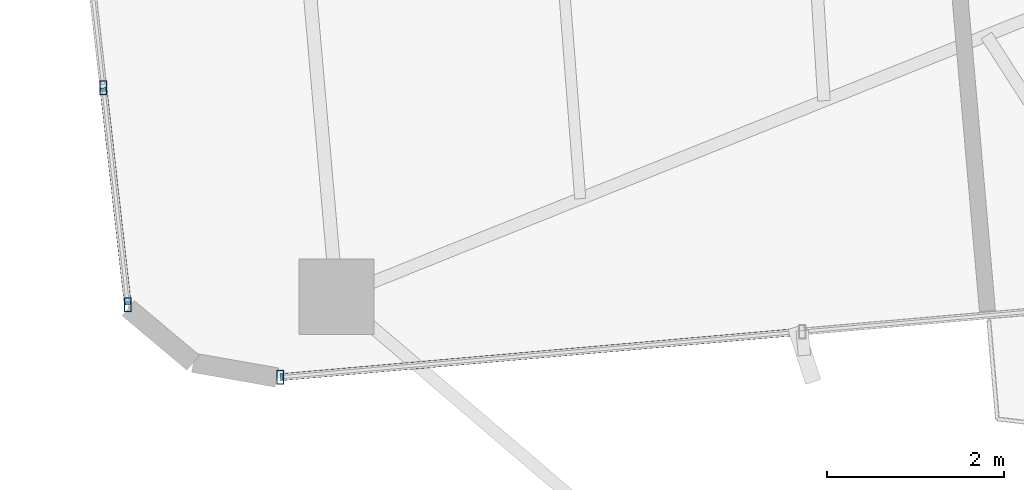
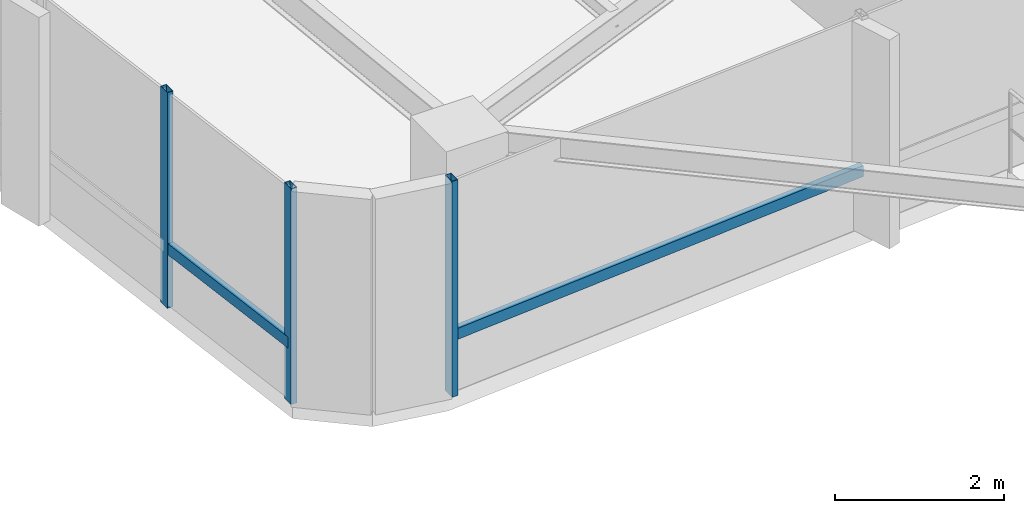
# One storey, part 3 of 24: 5 members, 2 elements without a shape of their own.
"""IFC4 building model written with IfcOpenShell, lengths in metres."""

from ifc_helpers import new_model, si_unit, direction, frame, origin, origin_2d, place, context, subcontext, project, spatial, hollow_rectangle, extrude, source, transform, mapped, material, material_profile, profile_set, type_object, element, aggregate, save


model = new_model("IFC4")

# Units and contexts
model_context = context("Model", 3, precision=1e-05, world=origin(), true_north=direction((0.0, 1.0)))
body_context = subcontext(model_context, "Body", "Model", "MODEL_VIEW")
ifc_project = project(units=[si_unit("LENGTHUNIT", "METRE"), si_unit("AREAUNIT", "SQUARE_METRE"), si_unit("VOLUMEUNIT", "CUBIC_METRE"), si_unit("PLANEANGLEUNIT", "RADIAN"), si_unit("MASSUNIT", "GRAM", prefix="KILO")], contexts=[model_context])

# Site, building, storey
site_placement = place(None, origin())
site = spatial("IfcSite", under=ifc_project, at=site_placement, CompositionType="ELEMENT")
building_placement = place(site_placement, origin())
building = spatial("IfcBuilding", under=site, at=building_placement, Name="Sahyath Konkavel Grand Hotel", CompositionType="ELEMENT")
storey_placement = place(building_placement, frame((0.0, 0.0, 181.89990234375)))
storey = spatial("IfcBuildingStorey", under=building, at=storey_placement, Name="L50", CompositionType="ELEMENT", Elevation=181.89990234375)

# Curtain wall, members
ifc_material_1 = material(Name="Anodised Bronze Aluminium & Low-E Glazing", Category="aluminium")
curtain_wall_type = type_object("IfcCurtainWallType", Name="CW-ZONE3", PredefinedType="NOTDEFINED", material=ifc_material_1)
curtain_wall_1_placement = place(storey_placement, origin())
curtain_wall_1 = element("IfcCurtainWall", 1, at=curtain_wall_1_placement, inside=storey, type_object=curtain_wall_type, Name="L50 Unitised Curtain Wall F20", PredefinedType="NOTDEFINED")
ifc_material_2 = material(Name="Anodised Bronze Aluminium", Category="aluminium")
ifc_material_profile_1 = material_profile(ifc_material_2, hollow_rectangle(XDim=0.080078125, YDim=0.159912109375, WallThickness=0.006103515625, at=origin_2d()), Name="RHS 160x80x6")
ifc_profile_set_1 = profile_set([ifc_material_profile_1], Name="Anodised Bronze Aluminium")
member_type_1 = type_object("IfcMemberType", Name="CW-MUL-160", PredefinedType="MULLION", material=ifc_profile_set_1)
shared_shape_1 = source(origin(), body_context, "Body", "SweptSolid", [
    extrude(hollow_rectangle(XDim=0.080078125, YDim=0.159912109375, WallThickness=0.006103515625, at=origin_2d()), origin(), (0.0, 0.0, 1.0), 3.110107421875),
])
member_1_placement = place(storey_placement, frame((-19.583984375, -4.648193359375, 0.0), z_axis=(0.0, 0.0, 1.0), x_axis=(1.0, 0.0, 0.0)))
member_1 = element("IfcMember", 2, at=member_1_placement, type_object=member_type_1, Name="L50 Curtain Wall Mullion F20-3", PredefinedType="MULLION", context=body_context, shape_type="MappedRepresentation", body=[
    mapped(shared_shape_1, transform((0.0, 0.0, 0.0), scale=1.0)),
])
member_2_placement = place(storey_placement, frame((-19.308349609375, -7.094970703125, 0.0), z_axis=(0.0, 0.0, 1.0), x_axis=(1.0, 0.0, 0.0)))
member_2 = element("IfcMember", 3, at=member_2_placement, type_object=member_type_1, Name="L50 Curtain Wall Mullion F20-4", PredefinedType="MULLION", context=body_context, shape_type="MappedRepresentation", body=[
    mapped(shared_shape_1, transform((0.0, 0.0, 0.0), scale=1.0)),
])

# Curtain wall, member
curtain_wall_2_placement = place(storey_placement, origin())
curtain_wall_2 = element("IfcCurtainWall", 4, at=curtain_wall_2_placement, inside=storey, type_object=curtain_wall_type, Name="L50 Unitised Curtain Wall F23", PredefinedType="NOTDEFINED")
member_3_placement = place(storey_placement, frame((-17.58740234375, -7.912841796875, 0.0), z_axis=(0.0, 0.0, 1.0), x_axis=(1.0, 0.0, 0.0)))
member_3 = element("IfcMember", 5, at=member_3_placement, type_object=member_type_1, Name="L50 Curtain Wall Mullion F23-0", PredefinedType="MULLION", context=body_context, shape_type="MappedRepresentation", body=[
    mapped(shared_shape_1, transform((0.0, 0.0, 0.0), scale=1.0)),
])

# Member
ifc_material_profile_2 = material_profile(ifc_material_2, hollow_rectangle(XDim=0.080078125, YDim=0.159912109375, WallThickness=0.006103515625, at=origin_2d()), Name="RHS 160x80x6")
ifc_profile_set_2 = profile_set([ifc_material_profile_2], Name="Anodised Bronze Aluminium")
member_type_2 = type_object("IfcMemberType", Name="CW-TRN-160", PredefinedType="USERDEFINED", material=ifc_profile_set_2)
shared_shape_2 = source(origin(), body_context, "Body", "SweptSolid", [
    extrude(hollow_rectangle(XDim=0.080078125, YDim=0.159912109375, WallThickness=0.006103515625, at=origin_2d()), origin(), (0.0, 0.0, 1.0), 2.462158203125),
])
member_4_placement = place(storey_placement, frame((-19.583984375, -4.648193359375, 0.85009765625), z_axis=(0.11194409079, -0.993714506555, 0.0), x_axis=(0.993714506555, 0.11194409079, 0.0)))
member_4 = element("IfcMember", 6, at=member_4_placement, type_object=member_type_2, Name="L50 Curtain Wall Transom F20-3-spandrel", ObjectType="TRANSOM", PredefinedType="USERDEFINED", context=body_context, shape_type="MappedRepresentation", body=[
    mapped(shared_shape_2, transform((0.0, 0.0, 0.0), scale=1.0)),
])

aggregate(curtain_wall_1, [member_1, member_2, member_4])

shared_shape_3 = source(origin(), body_context, "Body", "SweptSolid", [
    extrude(hollow_rectangle(XDim=0.080078125, YDim=0.159912109375, WallThickness=0.006103515625, at=origin_2d()), origin(), (0.0, 0.0, 1.0), 5.91015625),
])
member_5_placement = place(storey_placement, frame((-17.58740234375, -7.912841796875, 0.85009765625), z_axis=(0.996197841474, 0.087119806256, 0.0), x_axis=(-0.087119806256, 0.996197841474, 0.0)))
member_5 = element("IfcMember", 7, at=member_5_placement, type_object=member_type_2, Name="L50 Curtain Wall Transom F23-0-spandrel", ObjectType="TRANSOM", PredefinedType="USERDEFINED", context=body_context, shape_type="MappedRepresentation", body=[
    mapped(shared_shape_3, transform((0.0, 0.0, 0.0), scale=1.0)),
])

aggregate(curtain_wall_2, [member_3, member_5])

save(model, "model.ifc")
